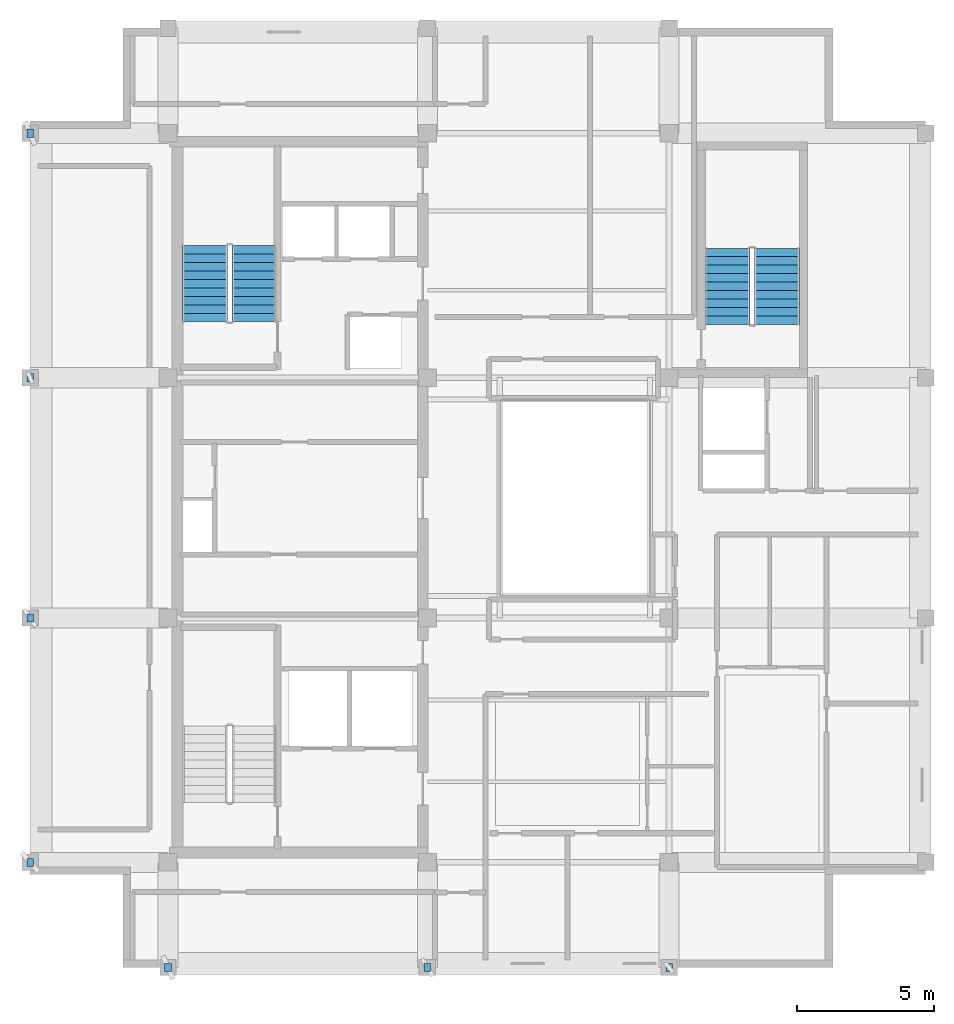
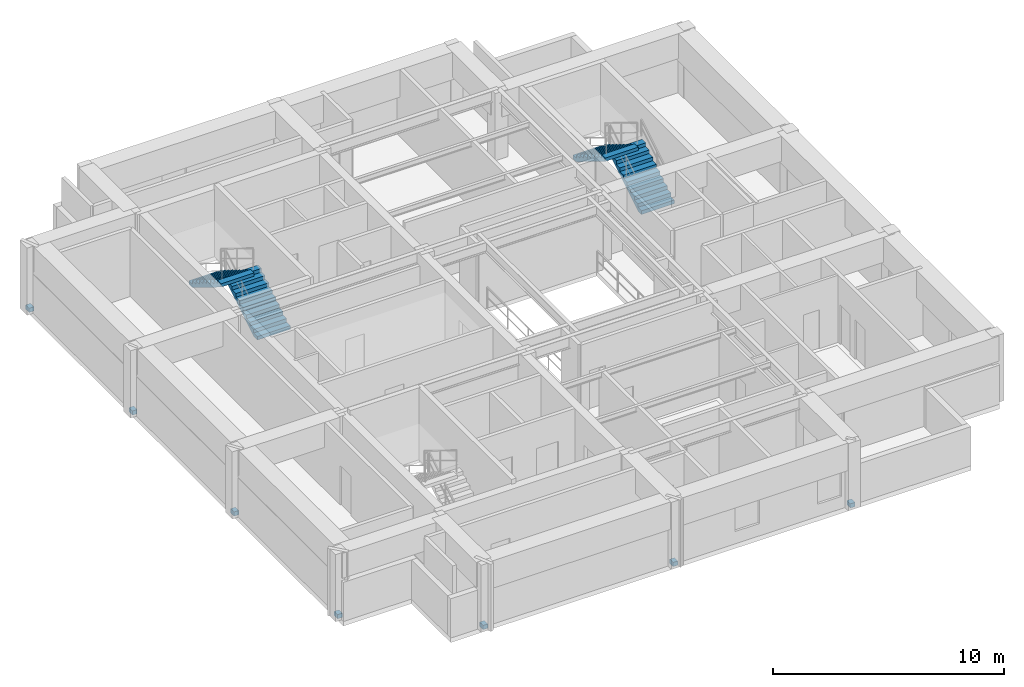
# One storey, part 5 of 6: 7 discrete accessories, 4 stair flights, 2 elements without a shape of their own.
"""IFC4 building model written with IfcOpenShell, lengths in metres."""

from ifc_helpers import new_model, si_unit, direction, frame, origin, origin_2d, place, context, subcontext, project, spatial, polyline, rectangle, outline, extrude, material, type_object, element, aggregate, save


model = new_model("IFC4")

# Units and contexts
model_context = context("Model", 3, precision=1e-05, world=origin(), true_north=direction((0.0, 1.0)))
body_context = subcontext(model_context, "Body", "Model", "MODEL_VIEW")
ifc_project = project(units=[si_unit("LENGTHUNIT", "METRE"), si_unit("AREAUNIT", "SQUARE_METRE"), si_unit("VOLUMEUNIT", "CUBIC_METRE"), si_unit("PLANEANGLEUNIT", "RADIAN"), si_unit("MASSUNIT", "GRAM", prefix="KILO")], contexts=[model_context])

# Site, building, storey
site_placement = place(None, origin())
site = spatial("IfcSite", under=ifc_project, at=site_placement, CompositionType="ELEMENT")
building_placement = place(site_placement, origin())
building = spatial("IfcBuilding", under=site, at=building_placement, Name="Kundavana Baori Tower", CompositionType="ELEMENT")
storey_placement = place(building_placement, frame((0.0, 0.0, 339.10009765625)))
storey = spatial("IfcBuildingStorey", under=building, at=storey_placement, Name="L84", CompositionType="ELEMENT", Elevation=339.10009765625)

# Stair, stair flights
ifc_material_1 = material(Name="Concrete C40/50", Category="concrete")
stair_type = type_object("IfcStairType", Name="STR-DOG-1650", PredefinedType="HALF_TURN_STAIR", material=ifc_material_1)
stair_1_placement = place(storey_placement, origin())
stair_1 = element("IfcStair", 1, at=stair_1_placement, inside=storey, type_object=stair_type, Name="L84 Protected Exit Stair ST2", PredefinedType="HALF_TURN_STAIR")
ifc_material_2 = material(Name="Concrete C40/50", Category="concrete")
stair_flight_type = type_object("IfcStairFlightType", Name="SFL-RC-1650", PredefinedType="STRAIGHT", material=ifc_material_2)
stair_flight_1_placement = place(storey_placement, frame((18.614990234375, 35.050048828125, 0.0), z_axis=(0.0, 0.0, 1.0), x_axis=(0.0, 1.0, 0.0)))
stair_flight_1 = element("IfcStairFlight", 2, at=stair_flight_1_placement, type_object=stair_flight_type, Name="ST2 flight 1", NumberOfRisers=10, NumberOfTreads=9, PredefinedType="STRAIGHT", RiserHeight=0.19, TreadLength=0.31, context=body_context, shape_type="SweptSolid", body=[
    extrude(outline(polyline([(0.0, 0.0), (0.0, 0.18994140625), (0.31005859375, 0.18994140625), (0.31005859375, 0.3798828125), (0.6201171875, 0.3798828125), (0.6201171875, 0.570068359375), (0.929931640625, 0.570068359375), (0.929931640625, 0.760009765625), (1.239990234375, 0.760009765625), (1.239990234375, 0.949951171875), (1.550048828125, 0.949951171875), (1.550048828125, 1.139892578125), (1.860107421875, 1.139892578125), (1.860107421875, 1.330078125), (2.169921875, 1.330078125), (2.169921875, 1.52001953125), (2.47998046875, 1.52001953125), (2.47998046875, 1.7099609375), (2.7900390625, 1.7099609375), (2.7900390625, 1.89990234375), (2.7900390625, 1.5341796875), (0.286865234375, 0.0), (0.0, 0.0)])), frame((0.0, 0.824951171875, 0.0), z_axis=(0.0, -1.0, 0.0), x_axis=(1.0, 0.0, 0.0)), (0.0, 0.0, 1.0), 1.64990234375),
])
stair_flight_2_placement = place(storey_placement, frame((16.804931640625, 37.840087890625, 1.89990234375), z_axis=(0.0, 0.0, 1.0), x_axis=(0.0, -1.0, 0.0)))
stair_flight_2 = element("IfcStairFlight", 3, at=stair_flight_2_placement, type_object=stair_flight_type, Name="ST2 flight 2", NumberOfRisers=10, NumberOfTreads=9, PredefinedType="STRAIGHT", RiserHeight=0.19, TreadLength=0.31, context=body_context, shape_type="SweptSolid", body=[
    extrude(outline(polyline([(0.0, 0.0), (0.0, 0.18994140625), (0.31005859375, 0.18994140625), (0.31005859375, 0.3798828125), (0.6201171875, 0.3798828125), (0.6201171875, 0.570068359375), (0.929931640625, 0.570068359375), (0.929931640625, 0.760009765625), (1.239990234375, 0.760009765625), (1.239990234375, 0.949951171875), (1.550048828125, 0.949951171875), (1.550048828125, 1.139892578125), (1.860107421875, 1.139892578125), (1.860107421875, 1.330078125), (2.169921875, 1.330078125), (2.169921875, 1.52001953125), (2.47998046875, 1.52001953125), (2.47998046875, 1.7099609375), (2.7900390625, 1.7099609375), (2.7900390625, 1.89990234375), (2.7900390625, 1.5341796875), (0.286865234375, 0.0), (0.0, 0.0)])), frame((0.0, 0.824951171875, 0.0), z_axis=(0.0, -1.0, 0.0), x_axis=(1.0, 0.0, 0.0)), (0.0, 0.0, 1.0), 1.64990234375),
])
aggregate(stair_1, [stair_flight_1, stair_flight_2])

stair_2_placement = place(storey_placement, origin())
stair_2 = element("IfcStair", 4, at=stair_2_placement, inside=storey, type_object=stair_type, Name="L84 Protected Exit Stair ST3", PredefinedType="HALF_TURN_STAIR")
stair_flight_3_placement = place(storey_placement, frame((37.7548828125, 34.949951171875, 0.0), z_axis=(0.0, 0.0, 1.0), x_axis=(0.0, 1.0, 0.0)))
stair_flight_3 = element("IfcStairFlight", 5, at=stair_flight_3_placement, type_object=stair_flight_type, Name="ST3 flight 1", NumberOfRisers=10, NumberOfTreads=9, PredefinedType="STRAIGHT", RiserHeight=0.19, TreadLength=0.31, context=body_context, shape_type="SweptSolid", body=[
    extrude(outline(polyline([(0.0, 0.0), (0.0, 0.18994140625), (0.31005859375, 0.18994140625), (0.31005859375, 0.3798828125), (0.6201171875, 0.3798828125), (0.6201171875, 0.570068359375), (0.929931640625, 0.570068359375), (0.929931640625, 0.760009765625), (1.239990234375, 0.760009765625), (1.239990234375, 0.949951171875), (1.550048828125, 0.949951171875), (1.550048828125, 1.139892578125), (1.860107421875, 1.139892578125), (1.860107421875, 1.330078125), (2.169921875, 1.330078125), (2.169921875, 1.52001953125), (2.47998046875, 1.52001953125), (2.47998046875, 1.7099609375), (2.7900390625, 1.7099609375), (2.7900390625, 1.89990234375), (2.7900390625, 1.5341796875), (0.286865234375, 0.0), (0.0, 0.0)])), frame((0.0, 0.824951171875, 0.0), z_axis=(0.0, -1.0, 0.0), x_axis=(1.0, 0.0, 0.0)), (0.0, 0.0, 1.0), 1.64990234375),
])
stair_flight_4_placement = place(storey_placement, frame((35.945068359375, 37.739990234375, 1.89990234375), z_axis=(0.0, 0.0, 1.0), x_axis=(0.0, -1.0, 0.0)))
stair_flight_4 = element("IfcStairFlight", 6, at=stair_flight_4_placement, type_object=stair_flight_type, Name="ST3 flight 2", NumberOfRisers=10, NumberOfTreads=9, PredefinedType="STRAIGHT", RiserHeight=0.19, TreadLength=0.31, context=body_context, shape_type="SweptSolid", body=[
    extrude(outline(polyline([(0.0, 0.0), (0.0, 0.18994140625), (0.31005859375, 0.18994140625), (0.31005859375, 0.3798828125), (0.6201171875, 0.3798828125), (0.6201171875, 0.570068359375), (0.929931640625, 0.570068359375), (0.929931640625, 0.760009765625), (1.239990234375, 0.760009765625), (1.239990234375, 0.949951171875), (1.550048828125, 0.949951171875), (1.550048828125, 1.139892578125), (1.860107421875, 1.139892578125), (1.860107421875, 1.330078125), (2.169921875, 1.330078125), (2.169921875, 1.52001953125), (2.47998046875, 1.52001953125), (2.47998046875, 1.7099609375), (2.7900390625, 1.7099609375), (2.7900390625, 1.89990234375), (2.7900390625, 1.5341796875), (0.286865234375, 0.0), (0.0, 0.0)])), frame((0.0, 0.824951171875, 0.0), z_axis=(0.0, -1.0, 0.0), x_axis=(1.0, 0.0, 0.0)), (0.0, 0.0, 1.0), 1.64990234375),
])
aggregate(stair_2, [stair_flight_3, stair_flight_4])

# Discrete accessories
ifc_material_3 = material(Name="Structural Steel S355JR", Category="steel")
discrete_accessory_type = type_object("IfcDiscreteAccessoryType", Name="ACC-BRK-FIN", PredefinedType="BRACKET", material=ifc_material_3)
for number, where, z_axis, x_axis, name in (
    (7, (15.449951171875, 11.39990234375, 0.0), (0.0, 0.0, 1.0), (1.0, 0.0, 0.0), "L84 Stainless Fin Anchor Bracket 1"),
    (8, (24.949951171875, 11.39990234375, 0.0), (0.0, 0.0, 1.0), (1.0, 0.0, 0.0), "L84 Stainless Fin Anchor Bracket 2"),
    (9, (33.800048828125, 11.39990234375, 0.0), (0.0, 0.0, 1.0), (1.0, 0.0, 0.0), "L84 Stainless Fin Anchor Bracket 3"),
    (10, (10.39990234375, 15.25, 0.0), (0.0, 0.0, 1.0), (1.0, 0.0, 0.0), "L84 Stainless Fin Anchor Bracket 4"),
    (11, (10.39990234375, 24.199951171875, 0.0), (0.0, 0.0, 1.0), (1.0, 0.0, 0.0), "L84 Stainless Fin Anchor Bracket 5"),
    (12, (10.39990234375, 33.0, 0.0), (0.0, 0.0, 1.0), (1.0, 0.0, 0.0), "L84 Stainless Fin Anchor Bracket 6"),
    (13, (10.39990234375, 41.949951171875, 0.0), (0.0, 0.0, 1.0), (1.0, 0.0, 0.0), "L84 Stainless Fin Anchor Bracket 7"),
):
    element("IfcDiscreteAccessory", number, at=place(storey_placement, frame(where, z_axis=z_axis, x_axis=x_axis)), inside=storey, type_object=discrete_accessory_type, Name=name, PredefinedType="BRACKET", context=body_context, shape_type="SweptSolid", body=[
        extrude(rectangle(XDim=0.239990234375, YDim=0.300048828125, at=origin_2d()), origin(), (0.0, 0.0, 1.0), 0.219970703125),
    ])

save(model, "model.ifc")
